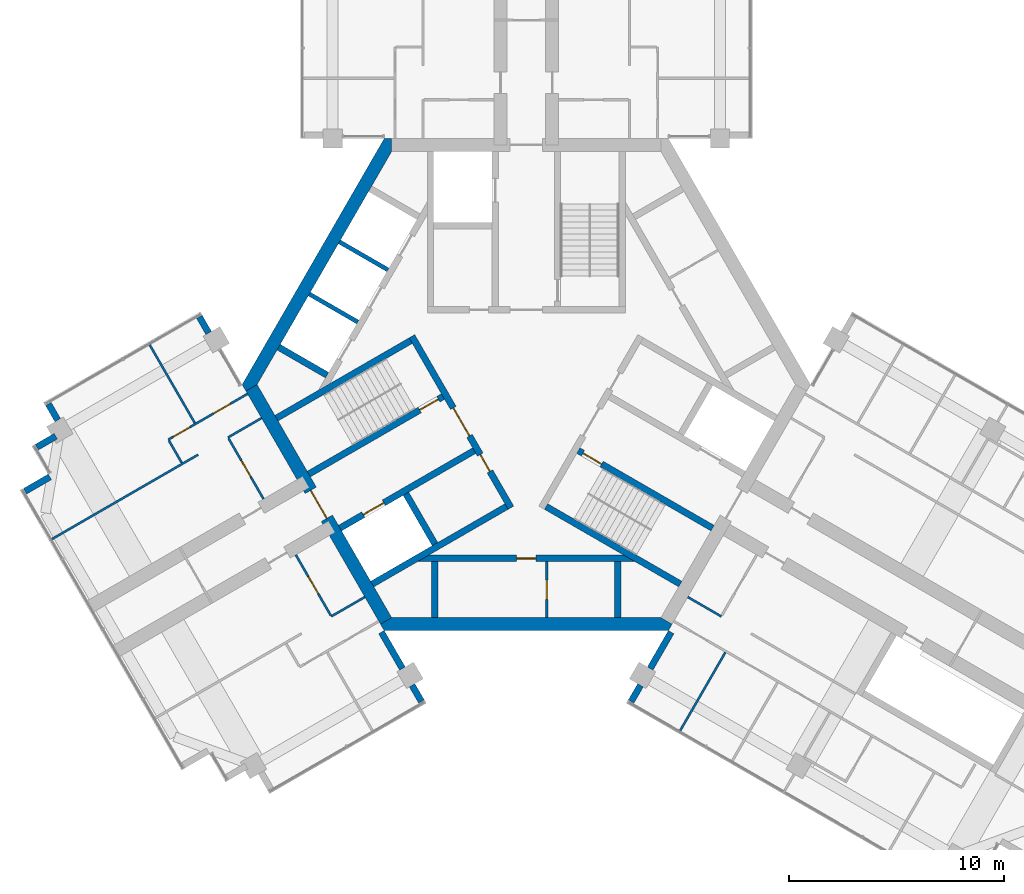
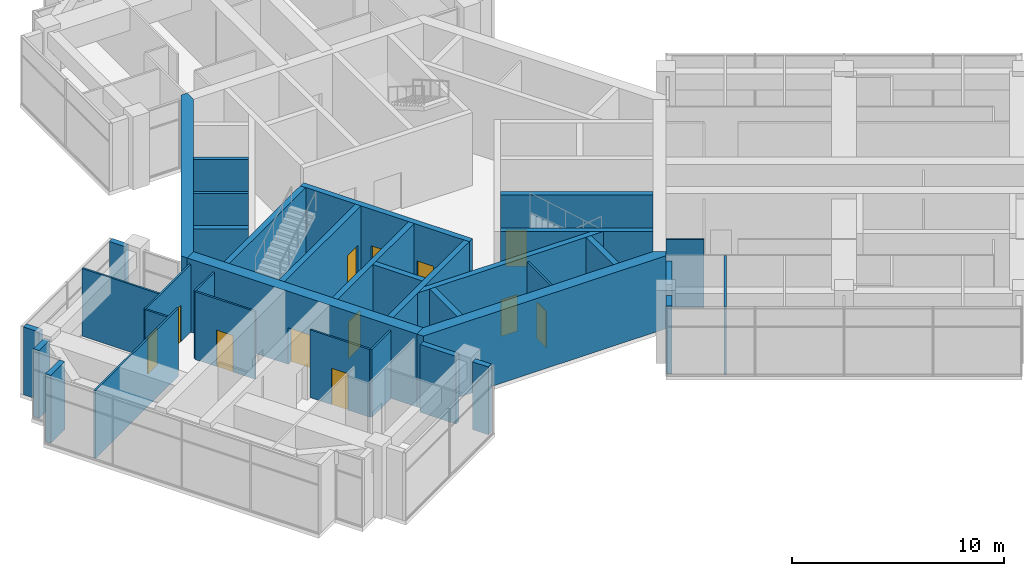
# One storey, part 9 of 14: 36 walls, 12 doors, 12 openings.
"""IFC4 building model written with IfcOpenShell, lengths in metres."""

from ifc_helpers import new_model, si_unit, direction, frame, frame_2d, origin, place, context, subcontext, project, spatial, polyline, rectangle, outline, extrude, material, layer, layer_set, type_object, element, fill, save


model = new_model("IFC4")

# Units and contexts
model_context = context("Model", 3, precision=1e-05, world=origin(), true_north=direction((0.0, 1.0)))
body_context = subcontext(model_context, "Body", "Model", "MODEL_VIEW")
ifc_project = project(units=[si_unit("LENGTHUNIT", "METRE"), si_unit("AREAUNIT", "SQUARE_METRE"), si_unit("VOLUMEUNIT", "CUBIC_METRE"), si_unit("PLANEANGLEUNIT", "RADIAN"), si_unit("MASSUNIT", "GRAM", prefix="KILO")], contexts=[model_context])

# Site, building, storey
site_placement = place(None, origin())
site = spatial("IfcSite", under=ifc_project, at=site_placement, CompositionType="ELEMENT")
building_placement = place(site_placement, origin())
building = spatial("IfcBuilding", under=site, at=building_placement, Name="Impinga Residences", CompositionType="ELEMENT")
storey_placement = place(building_placement, frame((0.0, 0.0, 291.550048828125)))
storey = spatial("IfcBuildingStorey", under=building, at=storey_placement, Name="L73", CompositionType="ELEMENT", Elevation=291.550048828125)

# Wall, opening, door
ifc_material_1 = material(Name="Concrete blockwork", Category="masonry")
ifc_layer_1 = layer(ifc_material_1, 0.10009765625)
ifc_layer_set_1 = layer_set([ifc_layer_1], Name="CP1 core room partition, blockwork 100")
wall_type_1 = type_object("IfcWallType", Name="CP1 core room partition, blockwork 100", PredefinedType="PARTITIONING", material=ifc_layer_set_1)
wall_1_placement = place(storey_placement, frame((0.949951171875, -8.2314453125, 0.0), z_axis=(0.0, 0.0, 1.0), x_axis=(0.0, -1.0, 0.0)))
wall_1 = element("IfcWall", 1, at=wall_1_placement, inside=storey, type_object=wall_type_1, Name="Core room partition, blockwork L73:CORE:low:ZP1", PredefinedType="PARTITIONING", context=body_context, shape_type="SweptSolid", body=[
    extrude(rectangle(XDim=2.60009765625, YDim=0.10009765625, at=frame_2d((1.300048828125, 0.0))), origin(), (0.0, 0.0, 1.0), 3.89990234375),
])
opening_1_placement = place(wall_1_placement, frame((0.85009765625, 0.0, 0.0)))
opening_1 = element("IfcOpeningElement", 2, at=opening_1_placement, cuts=wall_1, Name="Opening D6", PredefinedType="OPENING", context=body_context, shape_type="SweptSolid", body=[
    extrude(rectangle(XDim=0.89990234375, YDim=2.10009765625, at=frame_2d((0.449951171875, 1.050048828125))), frame((0.0, 0.06005859375, 0.0), z_axis=(0.0, -1.0, 0.0), x_axis=(1.0, 0.0, 0.0)), (0.0, 0.0, 1.0), 0.1201171875),
])
ifc_material_2 = material(Name="Timber door set", Category="wood")
door_type_1 = type_object("IfcDoorType", Name="D6 riser and store door 900x2100", OperationType="SINGLE_SWING_LEFT", PredefinedType="DOOR", material=ifc_material_2)
door_1_placement = place(opening_1_placement, origin())
door_1 = element("IfcDoor", 3, at=door_1_placement, inside=storey, type_object=door_type_1, Name="Staff WC door", OperationType="SINGLE_SWING_LEFT", OverallHeight=2.10009765625, OverallWidth=0.89990234375, PredefinedType="DOOR", context=body_context, shape_type="SweptSolid", body=[
    extrude(rectangle(XDim=0.89990234375, YDim=2.10009765625, at=frame_2d((0.449951171875, 1.050048828125))), frame((0.0, 0.02490234375, 0.0), z_axis=(0.0, -1.0, 0.0), x_axis=(1.0, 0.0, 0.0)), (0.0, 0.0, 1.0), 0.050048828125),
])
fill(opening_1, door_1)

# Walls
ifc_material_3 = material(Name="Stone facing on blockwork", Category="masonry")
ifc_layer_2 = layer(ifc_material_3, 0.300048828125)
ifc_layer_set_2 = layer_set([ifc_layer_2], Name="EW2 external wall, stone facing on blockwork 300")
wall_type_2 = type_object("IfcWallType", Name="EW2 external wall, stone facing on blockwork 300", PredefinedType="SOLIDWALL", material=ifc_layer_set_2)
wall_2_placement = place(storey_placement, frame((4.872314453125, -14.723876953125, 0.0), z_axis=(0.0, 0.0, 1.0), x_axis=(0.500023708017, 0.866011715522, 0.0)))
element("IfcWall", 4, at=wall_2_placement, inside=storey, type_object=wall_type_2, Name="External wall EW2 L73", PredefinedType="SOLIDWALL", context=body_context, shape_type="SweptSolid", body=[
    extrude(rectangle(XDim=0.865234375, YDim=0.300048828125, at=frame_2d((0.4326171875, 0.0))), origin(), (0.0, 0.0, 1.0), 3.89990234375),
])
for number, where, z_axis, x_axis, name in (
    (5, (5.7548828125, -13.1953125, 0.0), (0.0, 0.0, 1.0), (0.500043961785, 0.866000020948, 0.0), "External wall EW2 L73"),
    (6, (-6.72998046875, -11.506591796875, 0.0), (0.0, 0.0, 1.0), (0.500043961785, -0.866000020948, 0.0), "External wall EW2 L73"),
):
    element("IfcWall", number, at=place(storey_placement, frame(where, z_axis=z_axis, x_axis=x_axis)), inside=storey, type_object=wall_type_2, Name=name, PredefinedType="SOLIDWALL", context=body_context, shape_type="SweptSolid", body=[
        extrude(rectangle(XDim=1.949951171875, YDim=0.300048828125, at=frame_2d((0.97509765625, 0.0))), origin(), (0.0, 0.0, 1.0), 3.89990234375),
    ])
wall_3_placement = place(storey_placement, frame((-5.304931640625, -13.974609375, 0.0), z_axis=(0.0, 0.0, 1.0), x_axis=(0.500023708017, -0.866011715522, 0.0)))
element("IfcWall", 7, at=wall_3_placement, inside=storey, type_object=wall_type_2, Name="External wall EW2 L73", PredefinedType="SOLIDWALL", context=body_context, shape_type="SweptSolid", body=[
    extrude(rectangle(XDim=0.865234375, YDim=0.300048828125, at=frame_2d((0.4326171875, 0.0))), origin(), (0.0, 0.0, 1.0), 3.89990234375),
])
wall_4_placement = place(storey_placement, frame((-23.287353515625, -4.9580078125, 0.0), z_axis=(0.0, 0.0, 1.0), x_axis=(0.865974619471, 0.500087950697, 0.0)))
element("IfcWall", 8, at=wall_4_placement, inside=storey, type_object=wall_type_2, Name="External wall EW2 L73", PredefinedType="SOLIDWALL", context=body_context, shape_type="SweptSolid", body=[
    extrude(rectangle(XDim=1.329833984375, YDim=0.300048828125, at=frame_2d((0.6650390625, 0.0))), origin(), (0.0, 0.0, 1.0), 3.89990234375),
])
wall_5_placement = place(storey_placement, frame((-22.738525390625, -2.908935546875, 0.0), z_axis=(0.0, 0.0, 1.0), x_axis=(0.866029394266, 0.49999308822, 0.0)))
element("IfcWall", 9, at=wall_5_placement, inside=storey, type_object=wall_type_2, Name="External wall EW2 L73", PredefinedType="SOLIDWALL", context=body_context, shape_type="SweptSolid", body=[
    extrude(rectangle(XDim=1.01513671875, YDim=0.300048828125, at=frame_2d((0.507568359375, 0.0))), origin(), (0.0, 0.0, 1.0), 3.89990234375),
])
for number, where, z_axis, x_axis, name in (
    (10, (-21.771240234375, -1.654296875, 0.0), (0.0, 0.0, 1.0), (-0.499885902046, 0.866091268248, 0.0), "External wall EW2 L73"),
    (11, (-15.1875, 3.142333984375, 0.0), (0.0, 0.0, 1.0), (0.500098305348, -0.865968639725, 0.0), "External wall EW2 L73"),
):
    element("IfcWall", number, at=place(storey_placement, frame(where, z_axis=z_axis, x_axis=x_axis)), inside=storey, type_object=wall_type_2, Name=name, PredefinedType="SOLIDWALL", context=body_context, shape_type="SweptSolid", body=[
        extrude(rectangle(XDim=0.862060546875, YDim=0.300048828125, at=frame_2d((0.43115234375, 0.0))), origin(), (0.0, 0.0, 1.0), 3.89990234375),
    ])
ifc_material_4 = material(Name="Gypsum board on steel studs", Category="steel")
ifc_layer_3 = layer(ifc_material_4, 0.10009765625)
ifc_layer_set_3 = layer_set([ifc_layer_3], Name="Gypsum board on steel studs")
wall_type_3 = type_object("IfcWallType", Name="IP1 partition 100", PredefinedType="PARTITIONING", material=ifc_layer_set_3)
wall_6_placement = place(storey_placement, frame((-7.5, -9.872802734375, 0.0), z_axis=(0.0, 0.0, 1.0), x_axis=(-0.866047807691, -0.499961193289, 0.0)))
element("IfcWall", 12, at=wall_6_placement, inside=storey, type_object=wall_type_3, Name="Partition L73-WA1:DIV0", PredefinedType="PARTITIONING", context=body_context, shape_type="SweptSolid", body=[
    extrude(rectangle(XDim=1.800048828125, YDim=0.10009765625, at=frame_2d((0.89990234375, 0.0))), origin(), (0.0, 0.0, 1.0), 3.89990234375),
])

# Wall, opening, door
wall_7_placement = place(storey_placement, frame((-10.708740234375, -7.914794921875, 0.0), z_axis=(0.0, 0.0, 1.0), x_axis=(0.499984717929, -0.866034226713, 0.0)))
wall_7 = element("IfcWall", 13, at=wall_7_placement, inside=storey, type_object=wall_type_3, Name="Partition L73-WA1:IB1", PredefinedType="PARTITIONING", context=body_context, shape_type="SweptSolid", body=[
    extrude(rectangle(XDim=3.25, YDim=0.10009765625, at=frame_2d((1.625, 0.0))), origin(), (0.0, 0.0, 1.0), 3.89990234375),
])
opening_2_placement = place(wall_7_placement, frame((1.175048828125, 0.0, 0.0)))
opening_2 = element("IfcOpeningElement", 14, at=opening_2_placement, cuts=wall_7, Name="Opening D2", PredefinedType="OPENING", context=body_context, shape_type="SweptSolid", body=[
    extrude(rectangle(XDim=0.89990234375, YDim=2.10009765625, at=frame_2d((0.449951171875, 1.050048828125))), frame((0.0, 0.06005859375, 0.0), z_axis=(0.0, -1.0, 0.0), x_axis=(1.0, 0.0, 0.0)), (0.0, 0.0, 1.0), 0.1201171875),
])
door_type_2 = type_object("IfcDoorType", Name="D2 internal door 900x2100", OperationType="SINGLE_SWING_LEFT", PredefinedType="DOOR", material=ifc_material_2)
door_2_placement = place(opening_2_placement, origin())
door_2 = element("IfcDoor", 15, at=door_2_placement, inside=storey, type_object=door_type_2, Name="Apartment L73-WA1 bathroom door", OperationType="SINGLE_SWING_LEFT", OverallHeight=2.10009765625, OverallWidth=0.89990234375, PredefinedType="DOOR", context=body_context, shape_type="SweptSolid", body=[
    extrude(rectangle(XDim=0.89990234375, YDim=2.10009765625, at=frame_2d((0.449951171875, 1.050048828125))), frame((0.0, 0.02490234375, 0.0), z_axis=(0.0, -1.0, 0.0), x_axis=(1.0, 0.0, 0.0)), (0.0, 0.0, 1.0), 0.050048828125),
])
fill(opening_2, door_2)

# Walls
wall_8_placement = place(storey_placement, frame((-12.300048828125, -1.558837890625, 0.0), z_axis=(0.0, 0.0, 1.0), x_axis=(-0.866047807691, -0.499961193289, 0.0)))
element("IfcWall", 16, at=wall_8_placement, inside=storey, type_object=wall_type_3, Name="Partition L73-WF1:DIV0", PredefinedType="PARTITIONING", context=body_context, shape_type="SweptSolid", body=[
    extrude(rectangle(XDim=1.800048828125, YDim=0.10009765625, at=frame_2d((0.89990234375, 0.0))), origin(), (0.0, 0.0, 1.0), 3.89990234375),
])
wall_9_placement = place(storey_placement, frame((-15.244384765625, -3.2587890625, 0.0), z_axis=(0.0, 0.0, 1.0), x_axis=(-0.866029956157, -0.499992114976, 0.0)))
element("IfcWall", 17, at=wall_9_placement, inside=storey, type_object=wall_type_3, Name="Partition L73-WF1:DIV1", PredefinedType="PARTITIONING", context=body_context, shape_type="SweptSolid", body=[
    extrude(rectangle(XDim=7.837158203125, YDim=0.10009765625, at=frame_2d((3.91845703125, 0.0))), origin(), (0.0, 0.0, 1.0), 3.89990234375),
])

# Wall, openings, doors
wall_10_placement = place(storey_placement, frame((-12.949951171875, -0.43310546875, 0.0), z_axis=(0.0, 0.0, 1.0), x_axis=(-0.866028703517, -0.499994284652, 0.0)))
wall_10 = element("IfcWall", 18, at=wall_10_placement, inside=storey, type_object=wall_type_3, Name="Partition L73-WF1:STRIP", PredefinedType="PARTITIONING", context=body_context, shape_type="SweptSolid", body=[
    extrude(rectangle(XDim=4.25, YDim=0.10009765625, at=frame_2d((2.125, 0.0))), origin(), (0.0, 0.0, 1.0), 3.89990234375),
])
opening_3_placement = place(wall_10_placement, frame((0.925048828125, 0.0, 0.0)))
opening_3 = element("IfcOpeningElement", 19, at=opening_3_placement, cuts=wall_10, Name="Opening D2", PredefinedType="OPENING", context=body_context, shape_type="SweptSolid", body=[
    extrude(rectangle(XDim=0.89990234375, YDim=2.10009765625, at=frame_2d((0.449951171875, 1.050048828125))), frame((0.0, 0.06005859375, 0.0), z_axis=(0.0, -1.0, 0.0), x_axis=(1.0, 0.0, 0.0)), (0.0, 0.0, 1.0), 0.1201171875),
])
opening_4_placement = place(wall_10_placement, frame((3.10009765625, 0.0, 0.0)))
opening_4 = element("IfcOpeningElement", 20, at=opening_4_placement, cuts=wall_10, Name="Opening D2", PredefinedType="OPENING", context=body_context, shape_type="SweptSolid", body=[
    extrude(rectangle(XDim=0.89990234375, YDim=2.10009765625, at=frame_2d((0.449951171875, 1.050048828125))), frame((0.0, 0.06005859375, 0.0), z_axis=(0.0, -1.0, 0.0), x_axis=(1.0, 0.0, 0.0)), (0.0, 0.0, 1.0), 0.1201171875),
])
door_3_placement = place(opening_3_placement, origin())
door_3 = element("IfcDoor", 21, at=door_3_placement, inside=storey, type_object=door_type_2, Name="Apartment L73-WF1 room door", OperationType="SINGLE_SWING_LEFT", OverallHeight=2.10009765625, OverallWidth=0.89990234375, PredefinedType="DOOR", context=body_context, shape_type="SweptSolid", body=[
    extrude(rectangle(XDim=0.89990234375, YDim=2.10009765625, at=frame_2d((0.449951171875, 1.050048828125))), frame((0.0, 0.02490234375, 0.0), z_axis=(0.0, -1.0, 0.0), x_axis=(1.0, 0.0, 0.0)), (0.0, 0.0, 1.0), 0.050048828125),
])
fill(opening_3, door_3)
door_4_placement = place(opening_4_placement, origin())
door_4 = element("IfcDoor", 22, at=door_4_placement, inside=storey, type_object=door_type_2, Name="Apartment L73-WF1 room door", OperationType="SINGLE_SWING_RIGHT", OverallHeight=2.10009765625, OverallWidth=0.89990234375, PredefinedType="DOOR", context=body_context, shape_type="SweptSolid", body=[
    extrude(rectangle(XDim=0.89990234375, YDim=2.10009765625, at=frame_2d((0.449951171875, 1.050048828125))), frame((0.0, 0.02490234375, 0.0), z_axis=(0.0, -1.0, 0.0), x_axis=(1.0, 0.0, 0.0)), (0.0, 0.0, 1.0), 0.050048828125),
])
fill(opening_4, door_4)

# Wall
wall_11_placement = place(storey_placement, frame((-16.005615234375, -3.640625, 0.0), z_axis=(0.0, 0.0, 1.0), x_axis=(-0.500033551112, 0.866006032174, 0.0)))
element("IfcWall", 23, at=wall_11_placement, inside=storey, type_object=wall_type_3, Name="Partition L73-WF1:SE1", PredefinedType="PARTITIONING", context=body_context, shape_type="SweptSolid", body=[
    extrude(rectangle(XDim=1.2001953125, YDim=0.10009765625, at=frame_2d((0.60009765625, 0.0))), origin(), (0.0, 0.0, 1.0), 3.89990234375),
])

# Wall, opening, door
wall_12_placement = place(storey_placement, frame((-12.208740234375, -5.316650390625, 0.0), z_axis=(0.0, 0.0, 1.0), x_axis=(-0.500017246033, 0.866015446554, 0.0)))
wall_12 = element("IfcWall", 24, at=wall_12_placement, inside=storey, type_object=wall_type_3, Name="Partition L73-WF1:IB1", PredefinedType="PARTITIONING", context=body_context, shape_type="SweptSolid", body=[
    extrude(rectangle(XDim=3.25, YDim=0.10009765625, at=frame_2d((1.625, 0.0))), origin(), (0.0, 0.0, 1.0), 3.89990234375),
])
opening_5_placement = place(wall_12_placement, frame((1.175048828125, 0.0, 0.0)))
opening_5 = element("IfcOpeningElement", 25, at=opening_5_placement, cuts=wall_12, Name="Opening D2", PredefinedType="OPENING", context=body_context, shape_type="SweptSolid", body=[
    extrude(rectangle(XDim=0.89990234375, YDim=2.10009765625, at=frame_2d((0.449951171875, 1.050048828125))), frame((0.0, 0.06005859375, 0.0), z_axis=(0.0, -1.0, 0.0), x_axis=(1.0, 0.0, 0.0)), (0.0, 0.0, 1.0), 0.1201171875),
])
door_5_placement = place(opening_5_placement, origin())
door_5 = element("IfcDoor", 26, at=door_5_placement, inside=storey, type_object=door_type_2, Name="Apartment L73-WF1 bathroom door", OperationType="SINGLE_SWING_LEFT", OverallHeight=2.10009765625, OverallWidth=0.89990234375, PredefinedType="DOOR", context=body_context, shape_type="SweptSolid", body=[
    extrude(rectangle(XDim=0.89990234375, YDim=2.10009765625, at=frame_2d((0.449951171875, 1.050048828125))), frame((0.0, 0.02490234375, 0.0), z_axis=(0.0, -1.0, 0.0), x_axis=(1.0, 0.0, 0.0)), (0.0, 0.0, 1.0), 0.050048828125),
])
fill(opening_5, door_5)

# Walls
wall_13_placement = place(storey_placement, frame((-15.39990234375, -1.789794921875, 0.0), z_axis=(0.0, 0.0, 1.0), x_axis=(-0.499983227221, 0.866035087336, 0.0)))
element("IfcWall", 27, at=wall_13_placement, inside=storey, type_object=wall_type_3, Name="Partition L73-WF1:OB1", PredefinedType="PARTITIONING", context=body_context, shape_type="SweptSolid", body=[
    extrude(rectangle(XDim=4.187255859375, YDim=0.10009765625, at=frame_2d((2.09375, 0.0))), origin(), (0.0, 0.0, 1.0), 3.89990234375),
])
wall_14_placement = place(storey_placement, frame((7.5, -9.872802734375, 0.0), z_axis=(0.0, 0.0, 1.0), x_axis=(0.866047807691, -0.499961193289, 0.0)))
element("IfcWall", 28, at=wall_14_placement, inside=storey, type_object=wall_type_3, Name="Partition L73-EF1:DIV0", PredefinedType="PARTITIONING", context=body_context, shape_type="SweptSolid", body=[
    extrude(rectangle(XDim=1.800048828125, YDim=0.10009765625, at=frame_2d((0.89990234375, 0.0))), origin(), (0.0, 0.0, 1.0), 3.89990234375),
])
wall_15_placement = place(storey_placement, frame((9.249755859375, -12.44189453125, 0.0), z_axis=(0.0, 0.0, 1.0), x_axis=(-0.500008475426, -0.86602051044, 0.0)))
element("IfcWall", 29, at=wall_15_placement, inside=storey, type_object=wall_type_3, Name="Partition L73-EF1:OB1", PredefinedType="PARTITIONING", context=body_context, shape_type="SweptSolid", body=[
    extrude(rectangle(XDim=4.18701171875, YDim=0.10009765625, at=frame_2d((2.093505859375, 0.0))), origin(), (0.0, 0.0, 1.0), 3.89990234375),
])

# Wall, opening, door
ifc_material_5 = material(Name="Concrete C60/75", Category="concrete")
ifc_layer_4 = layer(ifc_material_5, 0.60009765625)
ifc_layer_set_4 = layer_set([ifc_layer_4], Name="Concrete C60/75")
wall_type_4 = type_object("IfcWallType", Name="SW4 core wall, crown 600", PredefinedType="SHEAR", material=ifc_layer_set_4)
wall_16_placement = place(storey_placement, frame((-6.513427734375, -10.9814453125, 0.0), z_axis=(0.0, 0.0, 1.0), x_axis=(-0.500004069281, 0.866023054371, 0.0)))
wall_16 = element("IfcWall", 30, at=wall_16_placement, inside=storey, type_object=wall_type_4, Name="Core wall SW4 W:FACE L73", PredefinedType="SHEAR", context=body_context, shape_type="SweptSolid", body=[
    extrude(rectangle(XDim=12.50732421875, YDim=0.60009765625, at=frame_2d((6.253662109375, 0.0))), origin(), (0.0, 0.0, 1.0), 4.199951171875),
])
opening_6_placement = place(wall_16_placement, frame((5.503662109375, 0.0, 0.0)))
opening_6 = element("IfcOpeningElement", 31, at=opening_6_placement, cuts=wall_16, Name="Opening D4", PredefinedType="OPENING", context=body_context, shape_type="SweptSolid", body=[
    extrude(rectangle(XDim=1.5, YDim=2.10009765625, at=frame_2d((0.75, 1.050048828125))), frame((0.0, 0.31005859375, 0.0), z_axis=(0.0, -1.0, 0.0), x_axis=(1.0, 0.0, 0.0)), (0.0, 0.0, 1.0), 0.6201171875),
])
door_type_3 = type_object("IfcDoorType", Name="D4 lobby door pair 1500x2100", OperationType="DOUBLE_DOOR_DOUBLE_SWING", PredefinedType="DOOR", material=ifc_material_2)
door_6_placement = place(opening_6_placement, origin())
door_6 = element("IfcDoor", 32, at=door_6_placement, inside=storey, type_object=door_type_3, Name="Lobby door W", OperationType="DOUBLE_DOOR_DOUBLE_SWING", OverallHeight=2.10009765625, OverallWidth=1.5, PredefinedType="DOOR", context=body_context, shape_type="SweptSolid", body=[
    extrude(rectangle(XDim=1.5, YDim=2.10009765625, at=frame_2d((0.75, 1.050048828125))), frame((0.0, 0.02490234375, 0.0), z_axis=(0.0, -1.0, 0.0), x_axis=(1.0, 0.0, 0.0)), (0.0, 0.0, 1.0), 0.050048828125),
])
fill(opening_6, door_6)

# Walls
wall_17_placement = place(storey_placement, origin())
element("IfcWall", 33, at=wall_17_placement, inside=storey, type_object=wall_type_4, Name="Core wall SW4 N:EXPOSED L73", PredefinedType="SHEAR", context=body_context, shape_type="SweptSolid", body=[
    extrude(outline(polyline([(-6.60009765625, -11.431640625), (6.60009765625, -11.431640625), (6.773193359375, -11.131591796875), (6.253662109375, -10.83154296875), (-6.253662109375, -10.83154296875), (-6.773193359375, -11.131591796875), (-6.60009765625, -11.431640625)])), origin(), (0.0, 0.0, 1.0), 4.199951171875),
])
wall_18_placement = place(storey_placement, origin())
element("IfcWall", 34, at=wall_18_placement, inside=storey, type_object=wall_type_4, Name="Core wall SW4 E:EXPOSED L73", PredefinedType="SHEAR", context=body_context, shape_type="SweptSolid", body=[
    extrude(outline(polyline([(-6.60009765625, 11.431640625), (-13.199951171875, 0.0), (-13.02685546875, -0.300048828125), (-12.507080078125, 0.0), (-6.253662109375, 10.83154296875), (-6.253662109375, 11.431640625), (-6.60009765625, 11.431640625)])), origin(), (0.0, 0.0, 1.0), 4.199951171875),
])

# Wall, openings, doors
ifc_material_6 = material(Name="Concrete C70/85", Category="concrete")
ifc_layer_5 = layer(ifc_material_6, 0.300048828125)
ifc_layer_set_5 = layer_set([ifc_layer_5], Name="Concrete C70/85")
wall_type_5 = type_object("IfcWallType", Name="SW5 core inner wall, stairs, shafts and lobbies 300", PredefinedType="SHEAR", material=ifc_layer_set_5)
wall_19_placement = place(storey_placement, frame((-0.7138671875, -5.7236328125, 0.0), z_axis=(0.0, 0.0, 1.0), x_axis=(-0.499995050369, 0.866028261437, 0.0)))
wall_19 = element("IfcWall", 35, at=wall_19_placement, inside=storey, type_object=wall_type_5, Name="Core wall SW5 W:ZONE L73", PredefinedType="SHEAR", context=body_context, shape_type="SweptSolid", body=[
    extrude(rectangle(XDim=9.19970703125, YDim=0.300048828125, at=frame_2d((4.599853515625, 0.0))), origin(), (0.0, 0.0, 1.0), 4.199951171875),
])
opening_7_placement = place(wall_19_placement, frame((3.85009765625, 0.0, 0.0)))
opening_7 = element("IfcOpeningElement", 36, at=opening_7_placement, cuts=wall_19, Name="Opening D4", PredefinedType="OPENING", context=body_context, shape_type="SweptSolid", body=[
    extrude(rectangle(XDim=1.5, YDim=2.10009765625, at=frame_2d((0.75, 1.050048828125))), frame((0.0, 0.159912109375, 0.0), z_axis=(0.0, -1.0, 0.0), x_axis=(1.0, 0.0, 0.0)), (0.0, 0.0, 1.0), 0.320068359375),
])
opening_8_placement = place(wall_19_placement, frame((1.949951171875, 0.0, 0.0)))
opening_8 = element("IfcOpeningElement", 37, at=opening_8_placement, cuts=wall_19, Name="Opening D6", PredefinedType="OPENING", context=body_context, shape_type="SweptSolid", body=[
    extrude(rectangle(XDim=0.89990234375, YDim=2.10009765625, at=frame_2d((0.449951171875, 1.050048828125))), frame((0.0, 0.159912109375, 0.0), z_axis=(0.0, -1.0, 0.0), x_axis=(1.0, 0.0, 0.0)), (0.0, 0.0, 1.0), 0.320068359375),
])
door_7_placement = place(opening_7_placement, origin())
door_7 = element("IfcDoor", 38, at=door_7_placement, inside=storey, type_object=door_type_3, Name="Firefighting lobby door W", OperationType="DOUBLE_DOOR_DOUBLE_SWING", OverallHeight=2.10009765625, OverallWidth=1.5, PredefinedType="DOOR", context=body_context, shape_type="SweptSolid", body=[
    extrude(rectangle(XDim=1.5, YDim=2.10009765625, at=frame_2d((0.75, 1.050048828125))), frame((0.0, 0.02490234375, 0.0), z_axis=(0.0, -1.0, 0.0), x_axis=(1.0, 0.0, 0.0)), (0.0, 0.0, 1.0), 0.050048828125),
])
fill(opening_7, door_7)
door_8_placement = place(opening_8_placement, origin())
door_8 = element("IfcDoor", 39, at=door_8_placement, inside=storey, type_object=door_type_1, Name="Riser door W", OperationType="SINGLE_SWING_LEFT", OverallHeight=2.10009765625, OverallWidth=0.89990234375, PredefinedType="DOOR", context=body_context, shape_type="SweptSolid", body=[
    extrude(rectangle(XDim=0.89990234375, YDim=2.10009765625, at=frame_2d((0.449951171875, 1.050048828125))), frame((0.0, 0.02490234375, 0.0), z_axis=(0.0, -1.0, 0.0), x_axis=(1.0, 0.0, 0.0)), (0.0, 0.0, 1.0), 0.050048828125),
])
fill(opening_8, door_8)

# Wall, opening, door
wall_20_placement = place(storey_placement, frame((-3.86865234375, -0.559326171875, 0.0), z_axis=(0.0, 0.0, 1.0), x_axis=(-0.866039935929, -0.499974828743, 0.0)))
wall_20 = element("IfcWall", 40, at=wall_20_placement, inside=storey, type_object=wall_type_5, Name="Core wall SW5 W:ST-IN L73", PredefinedType="SHEAR", context=body_context, shape_type="SweptSolid", body=[
    extrude(rectangle(XDim=7.201416015625, YDim=0.300048828125, at=frame_2d((3.6005859375, 0.0))), origin(), (0.0, 0.0, 1.0), 4.199951171875),
])
opening_9_placement = place(wall_20_placement, frame((0.25, 0.0, 0.0)))
opening_9 = element("IfcOpeningElement", 41, at=opening_9_placement, cuts=wall_20, Name="Opening D5", PredefinedType="OPENING", context=body_context, shape_type="SweptSolid", body=[
    extrude(rectangle(XDim=1.0, YDim=2.10009765625, at=frame_2d((0.5, 1.050048828125))), frame((0.0, 0.159912109375, 0.0), z_axis=(0.0, -1.0, 0.0), x_axis=(1.0, 0.0, 0.0)), (0.0, 0.0, 1.0), 0.320068359375),
])
door_type_4 = type_object("IfcDoorType", Name="D5 stair door 1000x2100", OperationType="SINGLE_SWING_LEFT", PredefinedType="DOOR", material=ifc_material_2)
door_9_placement = place(opening_9_placement, origin())
door_9 = element("IfcDoor", 42, at=door_9_placement, inside=storey, type_object=door_type_4, Name="Stair door W", OperationType="SINGLE_SWING_LEFT", OverallHeight=2.10009765625, OverallWidth=1.0, PredefinedType="DOOR", context=body_context, shape_type="SweptSolid", body=[
    extrude(rectangle(XDim=1.0, YDim=2.10009765625, at=frame_2d((0.5, 1.050048828125))), frame((0.0, 0.02490234375, 0.0), z_axis=(0.0, -1.0, 0.0), x_axis=(1.0, 0.0, 0.0)), (0.0, 0.0, 1.0), 0.050048828125),
])
fill(opening_9, door_9)

# Wall
wall_21_placement = place(storey_placement, frame((-5.36865234375, 2.038818359375, 0.0), z_axis=(0.0, 0.0, 1.0), x_axis=(-0.866025256649, -0.500000254847, 0.0)))
element("IfcWall", 43, at=wall_21_placement, inside=storey, type_object=wall_type_5, Name="Core wall SW5 W:ST-OUT L73", PredefinedType="SHEAR", context=body_context, shape_type="SweptSolid", body=[
    extrude(rectangle(XDim=7.20166015625, YDim=0.300048828125, at=frame_2d((3.600830078125, 0.0))), origin(), (0.0, 0.0, 1.0), 4.199951171875),
])

# Wall, opening, door
wall_22_placement = place(storey_placement, frame((-2.418701171875, -3.07080078125, 0.0), z_axis=(0.0, 0.0, 1.0), x_axis=(-0.86603146111, -0.499989508258, 0.0)))
wall_22 = element("IfcWall", 44, at=wall_22_placement, inside=storey, type_object=wall_type_5, Name="Core wall SW5 W:FF-IN L73", PredefinedType="SHEAR", context=body_context, shape_type="SweptSolid", body=[
    extrude(rectangle(XDim=7.201416015625, YDim=0.300048828125, at=frame_2d((3.6005859375, 0.0))), origin(), (0.0, 0.0, 1.0), 4.199951171875),
])
opening_10_placement = place(wall_22_placement, frame((4.85009765625, 0.0, 0.0)))
opening_10 = element("IfcOpeningElement", 45, at=opening_10_placement, cuts=wall_22, Name="Opening LD2", PredefinedType="OPENING", context=body_context, shape_type="SweptSolid", body=[
    extrude(rectangle(XDim=1.10009765625, YDim=2.10009765625, at=frame_2d((0.550048828125, 1.050048828125))), frame((0.0, 0.159912109375, 0.0), z_axis=(0.0, -1.0, 0.0), x_axis=(1.0, 0.0, 0.0)), (0.0, 0.0, 1.0), 0.320068359375),
])
ifc_material_7 = material(Name="Steel lift landing door", Category="steel")
door_type_5 = type_object("IfcDoorType", Name="LD2 firefighting lift landing door 1100x2100", OperationType="DOUBLE_DOOR_SLIDING", PredefinedType="DOOR", material=ifc_material_7)
door_10_placement = place(opening_10_placement, origin())
door_10 = element("IfcDoor", 46, at=door_10_placement, inside=storey, type_object=door_type_5, Name="Firefighting lift landing door F2", OperationType="DOUBLE_DOOR_SLIDING", OverallHeight=2.10009765625, OverallWidth=1.10009765625, PredefinedType="DOOR", context=body_context, shape_type="SweptSolid", body=[
    extrude(rectangle(XDim=1.10009765625, YDim=2.10009765625, at=frame_2d((0.550048828125, 1.050048828125))), frame((0.0, 0.02490234375, 0.0), z_axis=(0.0, -1.0, 0.0), x_axis=(1.0, 0.0, 0.0)), (0.0, 0.0, 1.0), 0.050048828125),
])
fill(opening_10, door_10)

# Walls
wall_23_placement = place(storey_placement, frame((-0.918701171875, -5.668701171875, 0.0), z_axis=(0.0, 0.0, 1.0), x_axis=(-0.866016781112, -0.50001493461, 0.0)))
element("IfcWall", 47, at=wall_23_placement, inside=storey, type_object=wall_type_5, Name="Core wall SW5 W:FF-OUT L73", PredefinedType="SHEAR", context=body_context, shape_type="SweptSolid", body=[
    extrude(rectangle(XDim=7.201416015625, YDim=0.300048828125, at=frame_2d((3.6005859375, 0.0))), origin(), (0.0, 0.0, 1.0), 4.199951171875),
])
wall_24_placement = place(storey_placement, frame((-4.2412109375, -7.413818359375, 0.0), z_axis=(0.0, 0.0, 1.0), x_axis=(-0.500048589285, 0.86599734893, 0.0)))
element("IfcWall", 48, at=wall_24_placement, inside=storey, type_object=wall_type_5, Name="Core wall SW5 W:FF-RS L73", PredefinedType="SHEAR", context=body_context, shape_type="SweptSolid", body=[
    extrude(rectangle(XDim=2.699951171875, YDim=0.300048828125, at=frame_2d((1.35009765625, 0.0))), origin(), (0.0, 0.0, 1.0), 4.199951171875),
])

# Wall, opening, door
wall_25_placement = place(storey_placement, frame((2.418701171875, -3.07080078125, 0.0), z_axis=(0.0, 0.0, 1.0), x_axis=(0.86603146111, -0.499989508258, 0.0)))
wall_25 = element("IfcWall", 49, at=wall_25_placement, inside=storey, type_object=wall_type_5, Name="Core wall SW5 E:ST-IN L73", PredefinedType="SHEAR", context=body_context, shape_type="SweptSolid", body=[
    extrude(rectangle(XDim=7.201416015625, YDim=0.300048828125, at=frame_2d((3.6005859375, 0.0))), origin(), (0.0, 0.0, 1.0), 4.199951171875),
])
opening_11_placement = place(wall_25_placement, frame((0.25, 0.0, 0.0)))
opening_11 = element("IfcOpeningElement", 50, at=opening_11_placement, cuts=wall_25, Name="Opening D5", PredefinedType="OPENING", context=body_context, shape_type="SweptSolid", body=[
    extrude(rectangle(XDim=1.0, YDim=2.10009765625, at=frame_2d((0.5, 1.050048828125))), frame((0.0, 0.159912109375, 0.0), z_axis=(0.0, -1.0, 0.0), x_axis=(1.0, 0.0, 0.0)), (0.0, 0.0, 1.0), 0.320068359375),
])
door_11_placement = place(opening_11_placement, origin())
door_11 = element("IfcDoor", 51, at=door_11_placement, inside=storey, type_object=door_type_4, Name="Stair door E", OperationType="SINGLE_SWING_LEFT", OverallHeight=2.10009765625, OverallWidth=1.0, PredefinedType="DOOR", context=body_context, shape_type="SweptSolid", body=[
    extrude(rectangle(XDim=1.0, YDim=2.10009765625, at=frame_2d((0.5, 1.050048828125))), frame((0.0, 0.02490234375, 0.0), z_axis=(0.0, -1.0, 0.0), x_axis=(1.0, 0.0, 0.0)), (0.0, 0.0, 1.0), 0.050048828125),
])
fill(opening_11, door_11)

# Wall
wall_26_placement = place(storey_placement, frame((0.918701171875, -5.668701171875, 0.0), z_axis=(0.0, 0.0, 1.0), x_axis=(0.866016781112, -0.50001493461, 0.0)))
element("IfcWall", 52, at=wall_26_placement, inside=storey, type_object=wall_type_5, Name="Core wall SW5 E:ST-OUT L73", PredefinedType="SHEAR", context=body_context, shape_type="SweptSolid", body=[
    extrude(rectangle(XDim=7.201416015625, YDim=0.300048828125, at=frame_2d((3.6005859375, 0.0))), origin(), (0.0, 0.0, 1.0), 4.199951171875),
])

# Wall, opening, door
wall_27_placement = place(storey_placement, frame((5.09765625, -8.08154296875, 0.0), z_axis=(0.0, 0.0, 1.0), x_axis=(-1.0, 0.0, 0.0)))
wall_27 = element("IfcWall", 53, at=wall_27_placement, inside=storey, type_object=wall_type_5, Name="Core wall SW5 N:BANK-FRONT L73", PredefinedType="SHEAR", context=body_context, shape_type="SweptSolid", body=[
    extrude(rectangle(XDim=10.1953125, YDim=0.300048828125, at=frame_2d((5.09765625, 0.0))), origin(), (0.0, 0.0, 1.0), 4.199951171875),
])
opening_12_placement = place(wall_27_placement, frame((4.647705078125, 0.0, 0.0)))
opening_12 = element("IfcOpeningElement", 54, at=opening_12_placement, cuts=wall_27, Name="Opening D6", PredefinedType="OPENING", context=body_context, shape_type="SweptSolid", body=[
    extrude(rectangle(XDim=0.89990234375, YDim=2.10009765625, at=frame_2d((0.449951171875, 1.050048828125))), frame((0.0, 0.159912109375, 0.0), z_axis=(0.0, -1.0, 0.0), x_axis=(1.0, 0.0, 0.0)), (0.0, 0.0, 1.0), 0.320068359375),
])
door_12_placement = place(opening_12_placement, origin())
door_12 = element("IfcDoor", 55, at=door_12_placement, inside=storey, type_object=door_type_1, Name="Guest pantry door", OperationType="SINGLE_SWING_LEFT", OverallHeight=2.10009765625, OverallWidth=0.89990234375, PredefinedType="DOOR", context=body_context, shape_type="SweptSolid", body=[
    extrude(rectangle(XDim=0.89990234375, YDim=2.10009765625, at=frame_2d((0.449951171875, 1.050048828125))), frame((0.0, 0.02490234375, 0.0), z_axis=(0.0, -1.0, 0.0), x_axis=(1.0, 0.0, 0.0)), (0.0, 0.0, 1.0), 0.050048828125),
])
fill(opening_12, door_12)

# Walls
for number, where, z_axis, x_axis, name in (
    (56, (4.25, -8.2314453125, 0.0), (0.0, 0.0, 1.0), (0.0, -1.0, 0.0), "Core wall SW5 N:BANK-L L73"),
    (57, (-4.25, -8.2314453125, 0.0), (0.0, 0.0, 1.0), (0.0, -1.0, 0.0), "Core wall SW5 N:BANK-R L73"),
    (58, (-9.253662109375, 0.43505859375, 0.0), (0.0, 0.0, 1.0), (-0.866021400173, 0.500006934395, 0.0), "Core wall SW5 E:BANK-L L73"),
):
    element("IfcWall", number, at=place(storey_placement, frame(where, z_axis=z_axis, x_axis=x_axis)), inside=storey, type_object=wall_type_5, Name=name, PredefinedType="SHEAR", context=body_context, shape_type="SweptSolid", body=[
        extrude(rectangle(XDim=2.60009765625, YDim=0.300048828125, at=frame_2d((1.300048828125, 0.0))), origin(), (0.0, 0.0, 1.0), 4.199951171875),
    ])
ifc_layer_6 = layer(ifc_material_6, 0.199951171875)
ifc_layer_set_6 = layer_set([ifc_layer_6], Name="Concrete C70/85")
wall_type_6 = type_object("IfcWallType", Name="SW6 lift shaft divider wall 200", PredefinedType="SHEAR", material=ifc_layer_set_6)
for number, where, z_axis, x_axis, name in (
    (59, (-7.82861328125, 2.9033203125, 0.0), (0.0, 0.0, 1.0), (-0.866021400173, 0.500006934395, 0.0), "Core wall SW6 E:BANK-D1 L73"),
    (60, (-6.4287109375, 5.328125, 0.0), (0.0, 0.0, 1.0), (-0.866021400173, 0.500006934395, 0.0), "Core wall SW6 E:BANK-D2 L73"),
):
    element("IfcWall", number, at=place(storey_placement, frame(where, z_axis=z_axis, x_axis=x_axis)), inside=storey, type_object=wall_type_6, Name=name, PredefinedType="SHEAR", context=body_context, shape_type="SweptSolid", body=[
        extrude(rectangle(XDim=2.60009765625, YDim=0.199951171875, at=frame_2d((1.300048828125, 0.0))), origin(), (0.0, 0.0, 1.0), 4.199951171875),
    ])

save(model, "model.ifc")
